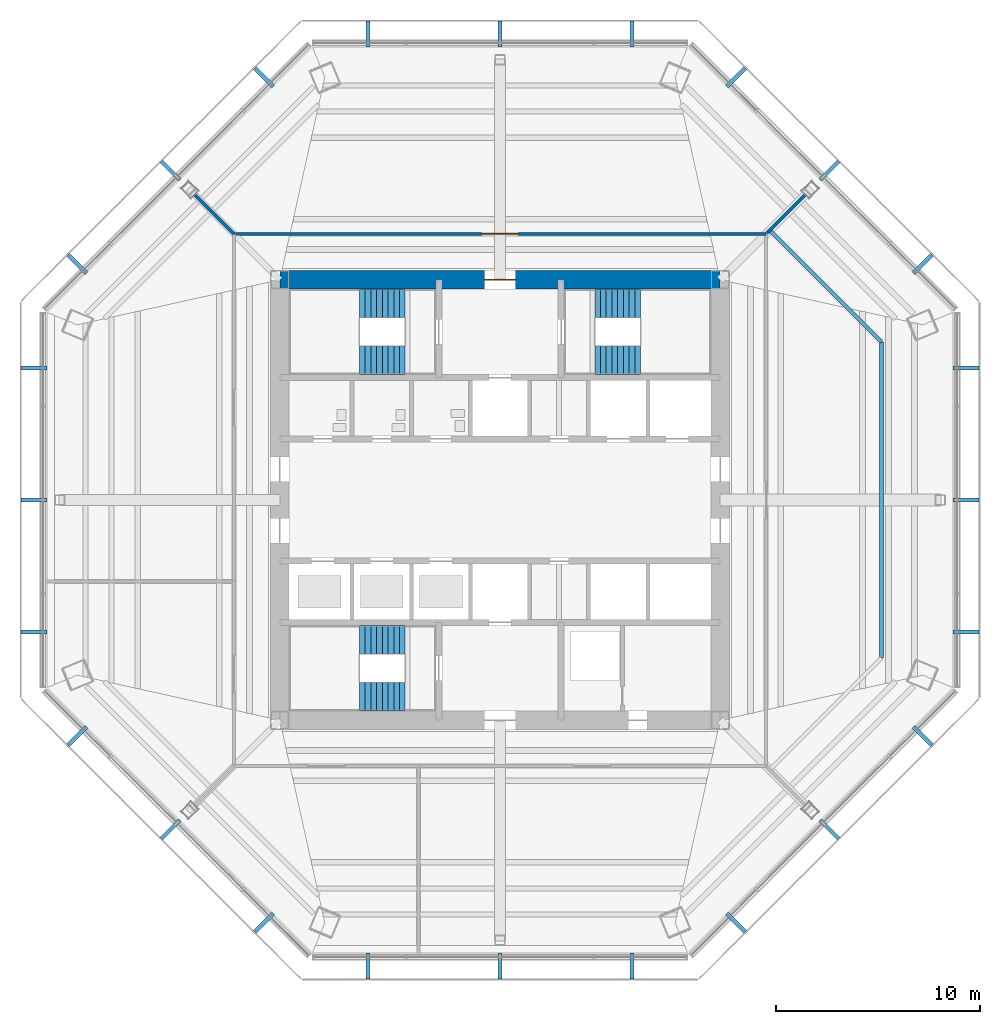
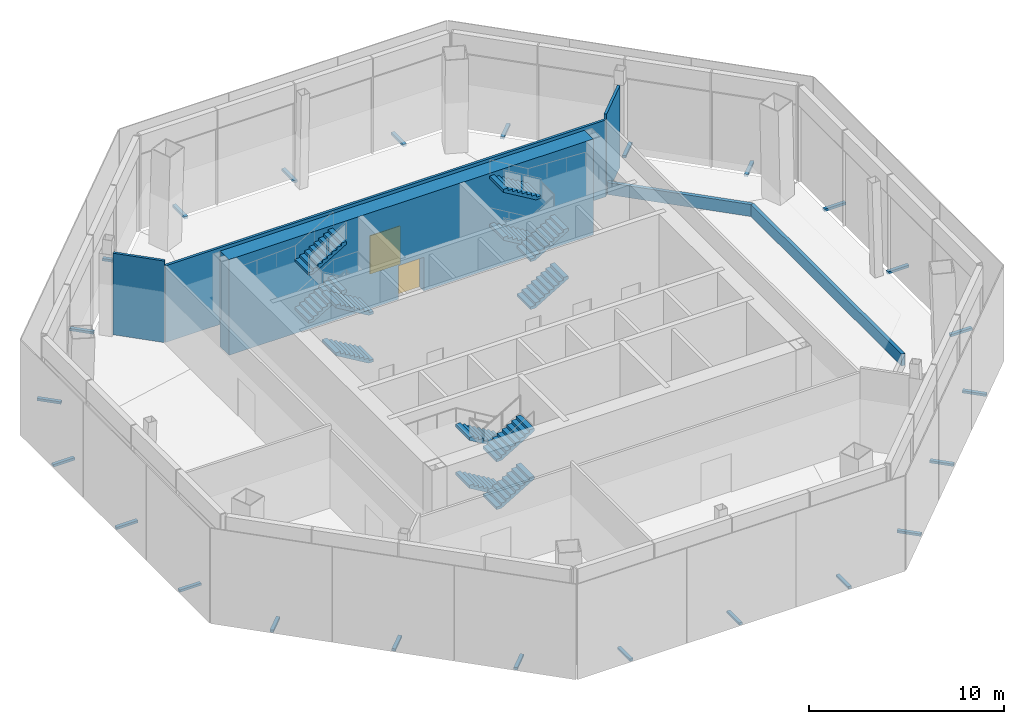
# One storey, part 8 of 13: 24 discrete accessories, 12 stair flights, 6 walls, 2 doors, 2 openings, 3 elements without a shape of their own.
"""IFC4 building model written with IfcOpenShell, lengths in metres."""

import ifcopenshell
import ifcopenshell.guid

model = None  # the IFC model being written
_history = None  # IfcOwnerHistory: only IFC2X3 demands one
_inside = {}  # id of a spatial element -> (the spatial element, [elements in it])
_under = {}  # id of a project, library or spatial element -> (it, [spatial elements below it])
_declared = {}  # id of a project -> (the project, [libraries it declares])
_typed = {}  # id of a type object -> (the type object, [elements of that type])
_made_of = {}  # id of a material, layer set ... -> (it, [elements and type objects made of it])


def new_model(schema):
    """Start an empty IFC model of exactly this schema.

    Asked for "IFC4X3", IfcOpenShell would pick the latest addendum, in which some entities
    have other attributes; the version numbers below select the first issue.
    IFC2X3 requires an IfcOwnerHistory on every rooted entity: one is made here for all.
    """
    global model, _history
    if schema == "IFC4X3":
        model = ifcopenshell.file(schema_version=(4, 3, 0, 0))
    else:
        model = ifcopenshell.file(schema=schema)
    _inside.clear()
    _under.clear()
    _declared.clear()
    _typed.clear()
    _made_of.clear()
    _history = None
    if model.schema == "IFC2X3":
        org = make("IfcOrganization", Name="unknown")
        user = make(
            "IfcPersonAndOrganization",
            ThePerson=make("IfcPerson", FamilyName="unknown"),
            TheOrganization=org,
        )
        app = make(
            "IfcApplication",
            ApplicationDeveloper=org,
            Version="unknown",
            ApplicationFullName="unknown",
            ApplicationIdentifier="unknown",
        )
        _history = make(
            "IfcOwnerHistory",
            OwningUser=user,
            OwningApplication=app,
            ChangeAction="ADDED",
            CreationDate=0,
        )
    return model


def make(cls, **values):
    """One entity of the class cls with the attributes given. An attribute that is None is left unset."""
    return model.create_entity(
        cls, **{name: value for name, value in values.items() if value is not None}
    )


def rooted(cls, **values):
    """An entity with a GlobalId (a new one), such as an element, a storey or a relation."""
    return make(cls, GlobalId=ifcopenshell.guid.new(), OwnerHistory=_history, **values)


def si_unit(unit_type, name, prefix=None):
    """IfcSIUnit, for example si_unit("LENGTHUNIT", "METRE", prefix="MILLI")."""
    return make("IfcSIUnit", UnitType=unit_type, Prefix=prefix, Name=name)


def assignment(units):
    """IfcUnitAssignment: the units of a project."""
    return None if units is None else make("IfcUnitAssignment", Units=units)


def point(xyz):
    """IfcCartesianPoint."""
    return None if xyz is None else make("IfcCartesianPoint", Coordinates=xyz)


def direction(xyz):
    """IfcDirection."""
    return None if xyz is None else make("IfcDirection", DirectionRatios=xyz)


def frame(location, z_axis=None, x_axis=None):
    """IfcAxis2Placement3D, a coordinate frame: its origin and axes. An axis left out is left unset."""
    return make(
        "IfcAxis2Placement3D",
        Location=point(location),
        Axis=direction(z_axis),
        RefDirection=direction(x_axis),
    )


def frame_2d(location, x_axis=None):
    """IfcAxis2Placement2D, a coordinate frame in the plane: its origin and x axis."""
    return make(
        "IfcAxis2Placement2D", Location=point(location), RefDirection=direction(x_axis)
    )


def origin():
    """The frame at (0, 0, 0) with its axes left unset."""
    return frame((0.0, 0.0, 0.0))


def origin_2d():
    """The frame at (0, 0) in the plane with its x axis left unset."""
    return frame_2d((0.0, 0.0))


def place(relative_to, where):
    """IfcLocalPlacement: puts the frame where relative to a parent placement (None: the world)."""
    return make(
        "IfcLocalPlacement", PlacementRelTo=relative_to, RelativePlacement=where
    )


def context(
    kind, dimensions, precision=None, world=None, true_north=None, identifier=None
):
    """IfcGeometricRepresentationContext, for example the 3D "Model" context."""
    return make(
        "IfcGeometricRepresentationContext",
        ContextIdentifier=identifier,
        ContextType=kind,
        CoordinateSpaceDimension=dimensions,
        Precision=precision,
        WorldCoordinateSystem=world,
        TrueNorth=true_north,
    )


def subcontext(parent, identifier, kind, view, scale=None):
    """IfcGeometricRepresentationSubContext, for example "Body" below "Model"."""
    return make(
        "IfcGeometricRepresentationSubContext",
        ContextIdentifier=identifier,
        ContextType=kind,
        ParentContext=parent,
        TargetScale=scale,
        TargetView=view,
    )


def project(units=None, contexts=None):
    """IfcProject with its units and contexts."""
    return rooted(
        "IfcProject",
        Name="project",
        RepresentationContexts=contexts,
        UnitsInContext=assignment(units),
    )


def spatial(cls, under=None, at=None, **own):
    """A site, building, storey or space (cls), placed at a placement, below another one or the project."""
    s = rooted(cls, ObjectPlacement=at, **own)
    if under is not None:
        _under.setdefault(under.id(), (under, []))[1].append(s)
    return s


def polyline(points):
    """IfcPolyline through the points."""
    return make("IfcPolyline", Points=[point(p) for p in points])


def profile(cls, at=None, kind="AREA", **sizes):
    """A parametric profile (cls). Its sizes go by their IFC names, for example OverallWidth=200.0."""
    return make(cls, ProfileType=kind, Position=at, **sizes)


def rectangle(**sizes):
    """IfcRectangleProfileDef."""
    return profile("IfcRectangleProfileDef", **sizes)


def outline(outer, holes=None, kind="AREA"):
    """IfcArbitraryClosedProfileDef: a profile drawn as a closed curve; with holes, ...WithVoids."""
    if holes is None:
        return make("IfcArbitraryClosedProfileDef", ProfileType=kind, OuterCurve=outer)
    return make(
        "IfcArbitraryProfileDefWithVoids",
        ProfileType=kind,
        OuterCurve=outer,
        InnerCurves=holes,
    )


def extrude(swept, where, along, depth):
    """IfcExtrudedAreaSolid: the profile swept, set in the frame where, extruded along a direction by depth."""
    return make(
        "IfcExtrudedAreaSolid",
        SweptArea=swept,
        Position=where,
        ExtrudedDirection=direction(along),
        Depth=depth,
    )


def shape(context_of_items, identifier, shape_type, items):
    """IfcShapeRepresentation: the items that make up one representation, for example the "Body"."""
    return make(
        "IfcShapeRepresentation",
        ContextOfItems=context_of_items,
        RepresentationIdentifier=identifier,
        RepresentationType=shape_type,
        Items=items,
    )


def source(mapping_origin, context_of_items, identifier, shape_type, items):
    """IfcRepresentationMap: a shape defined once, which mapped items show again and again."""
    return make(
        "IfcRepresentationMap",
        MappingOrigin=mapping_origin,
        MappedRepresentation=shape(context_of_items, identifier, shape_type, items),
    )


def transform(
    local_origin,
    x_axis=None,
    y_axis=None,
    z_axis=None,
    scale=None,
    scale2=None,
    scale3=None,
    uniform=True,
):
    """IfcCartesianTransformationOperator3D, or its non-uniform kind. x_axis, y_axis, z_axis: its Axis1, 2, 3."""
    if uniform:
        return make(
            "IfcCartesianTransformationOperator3D",
            Axis1=direction(x_axis),
            Axis2=direction(y_axis),
            LocalOrigin=point(local_origin),
            Scale=scale,
            Axis3=direction(z_axis),
        )
    return make(
        "IfcCartesianTransformationOperator3DnonUniform",
        Axis1=direction(x_axis),
        Axis2=direction(y_axis),
        LocalOrigin=point(local_origin),
        Scale=scale,
        Axis3=direction(z_axis),
        Scale2=scale2,
        Scale3=scale3,
    )


def mapped(mapping_source, mapping_target):
    """IfcMappedItem: shows the shape of a source again, moved by a transform."""
    return make(
        "IfcMappedItem", MappingSource=mapping_source, MappingTarget=mapping_target
    )


def material(Name=None, Category=None):
    """IfcMaterial."""
    return make("IfcMaterial", Name=Name, Category=Category)


def layer(
    of_material, thickness, ventilated=None, Name=None, Category=None, Priority=None
):
    """IfcMaterialLayer: one layer of a wall or slab, of a material (None: an air gap)."""
    return make(
        "IfcMaterialLayer",
        Material=of_material,
        LayerThickness=thickness,
        IsVentilated=ventilated,
        Name=Name,
        Category=Category,
        Priority=Priority,
    )


def layer_set(layers, Name=None):
    """IfcMaterialLayerSet."""
    return make("IfcMaterialLayerSet", MaterialLayers=layers, LayerSetName=Name)


def made_of(thing, what):
    """Note that an element or type object is made of a material, layer set ...; save() writes the relation."""
    if what is not None:
        _made_of.setdefault(what.id(), (what, []))[1].append(thing)
    return thing


def type_object(cls, material=None, **own):
    """A type object (cls), such as IfcWallType, which elements share."""
    return made_of(rooted(cls, **own), material)


def type_shapes(of_type, sources):
    """Give a type object the sources (RepresentationMaps) that its elements show as mapped items."""
    of_type.RepresentationMaps = sources


def element(
    cls,
    number,
    at=None,
    inside=None,
    cuts=None,
    type_object=None,
    material=None,
    context=None,
    identifier="Body",
    shape_type=None,
    held_by="IfcProductDefinitionShape",
    body=None,
    shapes=None,
    **own,
):
    """One element of the class cls, such as IfcWall. Its Tag is "e" and its number.

    at: its placement. inside: the storey or other place that contains it. cuts: it is an
    opening in that element (IfcRelVoidsElement). A single representation is given by context,
    identifier, shape_type and body (its items); several are given by shapes. held_by: the class
    of the entity that holds the representations. save() writes the other relations.
    """
    e = rooted(cls, Tag="e%d" % number, ObjectPlacement=at, **own)
    if body is not None:
        shapes = [shape(context, identifier, shape_type, body)]
    if shapes is not None:
        e.Representation = make(held_by, Representations=shapes)
    if inside is not None:
        _inside.setdefault(inside.id(), (inside, []))[1].append(e)
    if cuts is not None:
        rooted(
            "IfcRelVoidsElement", RelatingBuildingElement=cuts, RelatedOpeningElement=e
        )
    if type_object is not None:
        _typed.setdefault(type_object.id(), (type_object, []))[1].append(e)
    return made_of(e, material)


def fill(opening, filler):
    """IfcRelFillsElement: the door or window that sits in an opening."""
    return rooted(
        "IfcRelFillsElement",
        RelatingOpeningElement=opening,
        RelatedBuildingElement=filler,
    )


def aggregate(whole, parts):
    """IfcRelAggregates: a whole, such as a stair, and the parts it consists of."""
    return rooted("IfcRelAggregates", RelatingObject=whole, RelatedObjects=parts)


def save(model, path):
    """Write the relations noted so far, then the file.

    IfcRelAggregates (storeys below a building ...), IfcRelContainedInSpatialStructure (elements
    in a storey), IfcRelDefinesByType, IfcRelAssociatesMaterial and IfcRelDeclares: one each for
    every whole, place, type object, material and project.
    """
    for whole, parts in _under.values():
        aggregate(whole, parts)
    for where, things in _inside.values():
        rooted(
            "IfcRelContainedInSpatialStructure",
            RelatedElements=things,
            RelatingStructure=where,
        )
    for kind, things in _typed.values():
        rooted("IfcRelDefinesByType", RelatedObjects=things, RelatingType=kind)
    for what, things in _made_of.values():
        rooted("IfcRelAssociatesMaterial", RelatedObjects=things, RelatingMaterial=what)
    for by, libraries in _declared.values():
        rooted("IfcRelDeclares", RelatingContext=by, RelatedDefinitions=libraries)
    model.write(path)


model = new_model("IFC4")

# Units and contexts
model_context = context("Model", 3, precision=1e-05, world=origin(), true_north=direction((0.0, 1.0)))
body_context = subcontext(model_context, "Body", "Model", "MODEL_VIEW")
ifc_project = project(units=[si_unit("LENGTHUNIT", "METRE"), si_unit("AREAUNIT", "SQUARE_METRE"), si_unit("VOLUMEUNIT", "CUBIC_METRE"), si_unit("PLANEANGLEUNIT", "RADIAN"), si_unit("MASSUNIT", "GRAM", prefix="KILO")], contexts=[model_context])

# Site, building, storey
site_placement = place(None, origin())
site = spatial("IfcSite", under=ifc_project, at=site_placement, CompositionType="ELEMENT")
building_placement = place(site_placement, origin())
building = spatial("IfcBuilding", under=site, at=building_placement, Name="Mashrafa Tower", CompositionType="ELEMENT")
storey_placement = place(building_placement, frame((0.0, 0.0, 198.0)))
storey = spatial("IfcBuildingStorey", under=building, at=storey_placement, Name="L45", CompositionType="ELEMENT", Elevation=198.0)

# Wall, opening, door
ifc_material_1 = material(Name="Concrete C50/60", Category="concrete")
ifc_layer_1 = layer(ifc_material_1, 0.89990234375)
ifc_layer_set_1 = layer_set([ifc_layer_1], Name="Core wall 900 C50/60")
wall_type_1 = type_object("IfcWallType", Name="Core wall 900 C50/60", PredefinedType="SOLIDWALL", material=ifc_layer_set_1)
wall_1_placement = place(storey_placement, frame((10.800048828125, 10.800048828125, 0.0), z_axis=(0.0, 0.0, 1.0), x_axis=(-1.0, 0.0, 0.0)))
wall_1 = element("IfcWall", 1, at=wall_1_placement, inside=storey, type_object=wall_type_1, Name="Core wall CW-N L45", PredefinedType="SOLIDWALL", context=body_context, shape_type="SweptSolid", body=[
    extrude(rectangle(XDim=21.60009765625, YDim=0.89990234375, at=frame_2d((10.800048828125, 0.0))), origin(), (0.0, 0.0, 1.0), 6.0),
])
opening_1_placement = place(wall_1_placement, frame((10.050048828125, 0.0, 0.0)))
opening_1 = element("IfcOpeningElement", 2, at=opening_1_placement, cuts=wall_1, Name="Opening 45.011", PredefinedType="OPENING", context=body_context, shape_type="SweptSolid", body=[
    extrude(rectangle(XDim=1.5, YDim=2.10009765625, at=frame_2d((0.75, 1.050048828125))), frame((0.0, 0.4599609375, 0.0), z_axis=(0.0, -1.0, 0.0), x_axis=(1.0, 0.0, 0.0)), (0.0, 0.0, 1.0), 0.919921875),
])
ifc_material_2 = material(Name="Steel door", Category="steel")
door_type_1 = type_object("IfcDoorType", Name="Lobby door pair 1500 x 2100 90 min", OperationType="DOUBLE_DOOR_SINGLE_SWING", PredefinedType="DOOR", material=ifc_material_2)
door_1_placement = place(opening_1_placement, origin())
door_1 = element("IfcDoor", 3, at=door_1_placement, inside=storey, type_object=door_type_1, Name="Fire-fighting lobby F1 door L45", OperationType="DOUBLE_DOOR_SINGLE_SWING", OverallHeight=2.10009765625, OverallWidth=1.5, PredefinedType="DOOR", context=body_context, shape_type="SweptSolid", body=[
    extrude(rectangle(XDim=1.5, YDim=2.10009765625, at=frame_2d((0.75, 1.050048828125))), frame((0.0, 0.02490234375, 0.0), z_axis=(0.0, -1.0, 0.0), x_axis=(1.0, 0.0, 0.0)), (0.0, 0.0, 1.0), 0.050048828125),
])
fill(opening_1, door_1)

ifc_material_3 = material(Name="Gypsum board on steel studs", Category="steel")
ifc_layer_2 = layer(ifc_material_3, 0.14990234375)
ifc_layer_set_2 = layer_set([ifc_layer_2], Name="Corridor partition 150 1 hr")
wall_type_2 = type_object("IfcWallType", Name="Corridor partition 150 1 hr", PredefinedType="PARTITIONING", material=ifc_layer_set_2)
wall_2_placement = place(storey_placement, frame((13.050048828125, 13.050048828125, 0.0), z_axis=(0.0, 0.0, 1.0), x_axis=(-1.0, 0.0, 0.0)))
wall_2 = element("IfcWall", 4, at=wall_2_placement, inside=storey, type_object=wall_type_2, Name="Corridor wall L45-005", PredefinedType="PARTITIONING", context=body_context, shape_type="SweptSolid", body=[
    extrude(rectangle(XDim=26.10009765625, YDim=0.14990234375, at=frame_2d((13.050048828125, 0.0))), origin(), (0.0, 0.0, 1.0), 4.806884765625),
])
opening_2_placement = place(wall_2_placement, frame((12.14990234375, 0.0, 0.0)))
opening_2 = element("IfcOpeningElement", 5, at=opening_2_placement, cuts=wall_2, Name="Opening 45.005", PredefinedType="OPENING", context=body_context, shape_type="SweptSolid", body=[
    extrude(rectangle(XDim=1.800048828125, YDim=2.39990234375, at=frame_2d((0.89990234375, 1.199951171875))), frame((0.0, 0.0849609375, 0.0), z_axis=(0.0, -1.0, 0.0), x_axis=(1.0, 0.0, 0.0)), (0.0, 0.0, 1.0), 0.169921875),
])
ifc_material_4 = material(Name="Steel door", Category="steel")
door_type_2 = type_object("IfcDoorType", Name="Door pair 1800 x 2400 90 min", OperationType="DOUBLE_DOOR_SINGLE_SWING", PredefinedType="DOOR", material=ifc_material_4)
door_2_placement = place(opening_2_placement, origin())
door_2 = element("IfcDoor", 6, at=door_2_placement, inside=storey, type_object=door_type_2, Name="Function Room L45 door", OperationType="DOUBLE_DOOR_SINGLE_SWING", OverallHeight=2.39990234375, OverallWidth=1.800048828125, PredefinedType="DOOR", context=body_context, shape_type="SweptSolid", body=[
    extrude(rectangle(XDim=1.800048828125, YDim=2.39990234375, at=frame_2d((0.89990234375, 1.199951171875))), frame((0.0, 0.02490234375, 0.0), z_axis=(0.0, -1.0, 0.0), x_axis=(1.0, 0.0, 0.0)), (0.0, 0.0, 1.0), 0.050048828125),
])
fill(opening_2, door_2)

# Walls
ifc_material_5 = material(Name="Gypsum board on steel studs", Category="steel")
ifc_layer_3 = layer(ifc_material_5, 0.14990234375)
ifc_layer_set_3 = layer_set([ifc_layer_3], Name="Partition 150")
wall_type_3 = type_object("IfcWallType", Name="Partition 150", PredefinedType="PARTITIONING", material=ifc_layer_set_3)
wall_3_placement = place(storey_placement, frame((-13.050048828125, 13.050048828125, 0.0), z_axis=(0.0, 0.0, 1.0), x_axis=(-0.707106781187, 0.707106781187, 0.0)))
element("IfcWall", 7, at=wall_3_placement, inside=storey, type_object=wall_type_3, Name="Partition wall L45-012", PredefinedType="PARTITIONING", context=body_context, shape_type="SweptSolid", body=[
    extrude(rectangle(XDim=2.71923828125, YDim=0.14990234375, at=frame_2d((1.359619140625, 0.0))), origin(), (0.0, 0.0, 1.0), 5.11181640625),
])
wall_4_placement = place(storey_placement, frame((14.972900390625, 14.972900390625, 0.0), z_axis=(0.0, 0.0, 1.0), x_axis=(-0.707106781187, -0.707106781187, 0.0)))
element("IfcWall", 8, at=wall_4_placement, inside=storey, type_object=wall_type_3, Name="Partition wall L45-013", PredefinedType="PARTITIONING", context=body_context, shape_type="SweptSolid", body=[
    extrude(rectangle(XDim=2.66650390625, YDim=0.14990234375, at=frame_2d((1.333251953125, 0.0))), origin(), (0.0, 0.0, 1.0), 5.11181640625),
])
ifc_material_6 = material(Name="Concrete C32/40", Category="concrete")
ifc_layer_4 = layer(ifc_material_6, 0.199951171875)
ifc_layer_set_4 = layer_set([ifc_layer_4], Name="Planter upstand wall 200")
wall_type_4 = type_object("IfcWallType", Name="Planter upstand wall 200", PredefinedType="SOLIDWALL", material=ifc_layer_set_4)
wall_5_placement = place(storey_placement, frame((13.2861328125, 13.1787109375, 0.0), z_axis=(0.0, 0.0, 1.0), x_axis=(0.707122684986, -0.707090877029, 0.0)))
element("IfcWall", 9, at=wall_5_placement, inside=storey, type_object=wall_type_4, Name="Planter wall L45-015", PredefinedType="SOLIDWALL", context=body_context, shape_type="SweptSolid", body=[
    extrude(rectangle(XDim=7.675537109375, YDim=0.199951171875, at=frame_2d((3.837890625, 0.0))), origin(), (0.0, 0.0, 1.0), 0.75),
])
wall_6_placement = place(storey_placement, frame((18.713623046875, 7.75146484375, 0.0), z_axis=(0.0, 0.0, 1.0), x_axis=(0.0, -1.0, 0.0)))
element("IfcWall", 10, at=wall_6_placement, inside=storey, type_object=wall_type_4, Name="Planter wall L45-016", PredefinedType="SOLIDWALL", context=body_context, shape_type="SweptSolid", body=[
    extrude(rectangle(XDim=15.5029296875, YDim=0.199951171875, at=frame_2d((7.75146484375, 0.0))), origin(), (0.0, 0.0, 1.0), 0.75),
])

# Stair, stair flights
ifc_material_7 = material(Name="Exit stair 1400")
stair_type = type_object("IfcStairType", Name="Exit stair 1400", PredefinedType="HALF_TURN_STAIR", material=ifc_material_7)
stair_1_placement = place(storey_placement, origin())
stair_1 = element("IfcStair", 11, at=stair_1_placement, inside=storey, type_object=stair_type, Name="Stair S1 L45", PredefinedType="HALF_TURN_STAIR")
ifc_material_8 = material(Name="Concrete C32/40", Category="concrete")
stair_flight_type = type_object("IfcStairFlightType", Name="Stair flight 1400", PredefinedType="STRAIGHT", material=ifc_material_8)
stair_flight_1_placement = place(storey_placement, frame((-4.64990234375, 6.85009765625, 0.0), z_axis=(0.0, 0.0, 1.0), x_axis=(-1.0, 0.0, 0.0)))
stair_flight_1 = element("IfcStairFlight", 12, at=stair_flight_1_placement, type_object=stair_flight_type, Name="S1 flight 1", NumberOfRisers=9, NumberOfTreads=8, PredefinedType="STRAIGHT", RiserHeight=0.166666667, TreadLength=0.28, context=body_context, shape_type="SweptSolid", body=[
    extrude(outline(polyline([(0.0, 0.0), (0.0, 0.166748046875), (0.280029296875, 0.166748046875), (0.280029296875, 0.333251953125), (0.56005859375, 0.333251953125), (0.56005859375, 0.5), (0.840087890625, 0.5), (0.840087890625, 0.666748046875), (1.1201171875, 0.666748046875), (1.1201171875, 0.833251953125), (1.39990234375, 0.833251953125), (1.39990234375, 1.0), (1.679931640625, 1.0), (1.679931640625, 1.166748046875), (1.9599609375, 1.166748046875), (1.9599609375, 1.333251953125), (2.239990234375, 1.333251953125), (2.239990234375, 1.5), (2.239990234375, 1.158935546875), (0.29296875, 0.0), (0.0, 0.0)])), frame((0.0, 0.699951171875, 0.0), z_axis=(0.0, -1.0, 0.0), x_axis=(1.0, 0.0, 0.0)), (0.0, 0.0, 1.0), 1.39990234375),
])
stair_flight_2_placement = place(storey_placement, frame((-6.889892578125, 9.64990234375, 1.5), z_axis=(0.0, 0.0, 1.0), x_axis=(1.0, 0.0, 0.0)))
stair_flight_2 = element("IfcStairFlight", 13, at=stair_flight_2_placement, type_object=stair_flight_type, Name="S1 flight 2", NumberOfRisers=9, NumberOfTreads=8, PredefinedType="STRAIGHT", RiserHeight=0.166666667, TreadLength=0.28, context=body_context, shape_type="SweptSolid", body=[
    extrude(outline(polyline([(0.0, 0.0), (0.0, 0.166748046875), (0.280029296875, 0.166748046875), (0.280029296875, 0.333251953125), (0.56005859375, 0.333251953125), (0.56005859375, 0.5), (0.840087890625, 0.5), (0.840087890625, 0.666748046875), (1.1201171875, 0.666748046875), (1.1201171875, 0.833251953125), (1.39990234375, 0.833251953125), (1.39990234375, 1.0), (1.679931640625, 1.0), (1.679931640625, 1.166748046875), (1.9599609375, 1.166748046875), (1.9599609375, 1.333251953125), (2.239990234375, 1.333251953125), (2.239990234375, 1.5), (2.239990234375, 1.158935546875), (0.29296875, 0.0), (0.0, 0.0)])), frame((0.0, 0.699951171875, 0.0), z_axis=(0.0, -1.0, 0.0), x_axis=(1.0, 0.0, 0.0)), (0.0, 0.0, 1.0), 1.39990234375),
])
stair_flight_3_placement = place(storey_placement, frame((-4.64990234375, 6.85009765625, 3.0), z_axis=(0.0, 0.0, 1.0), x_axis=(-1.0, 0.0, 0.0)))
stair_flight_3 = element("IfcStairFlight", 14, at=stair_flight_3_placement, type_object=stair_flight_type, Name="S1 flight 3", NumberOfRisers=9, NumberOfTreads=8, PredefinedType="STRAIGHT", RiserHeight=0.166666667, TreadLength=0.28, context=body_context, shape_type="SweptSolid", body=[
    extrude(outline(polyline([(0.0, 0.0), (0.0, 0.166748046875), (0.280029296875, 0.166748046875), (0.280029296875, 0.333251953125), (0.56005859375, 0.333251953125), (0.56005859375, 0.5), (0.840087890625, 0.5), (0.840087890625, 0.666748046875), (1.1201171875, 0.666748046875), (1.1201171875, 0.833251953125), (1.39990234375, 0.833251953125), (1.39990234375, 1.0), (1.679931640625, 1.0), (1.679931640625, 1.166748046875), (1.9599609375, 1.166748046875), (1.9599609375, 1.333251953125), (2.239990234375, 1.333251953125), (2.239990234375, 1.5), (2.239990234375, 1.158935546875), (0.29296875, 0.0), (0.0, 0.0)])), frame((0.0, 0.699951171875, 0.0), z_axis=(0.0, -1.0, 0.0), x_axis=(1.0, 0.0, 0.0)), (0.0, 0.0, 1.0), 1.39990234375),
])
stair_flight_4_placement = place(storey_placement, frame((-6.889892578125, 9.64990234375, 4.5), z_axis=(0.0, 0.0, 1.0), x_axis=(1.0, 0.0, 0.0)))
stair_flight_4 = element("IfcStairFlight", 15, at=stair_flight_4_placement, type_object=stair_flight_type, Name="S1 flight 4", NumberOfRisers=9, NumberOfTreads=8, PredefinedType="STRAIGHT", RiserHeight=0.166666667, TreadLength=0.28, context=body_context, shape_type="SweptSolid", body=[
    extrude(outline(polyline([(0.0, 0.0), (0.0, 0.166748046875), (0.280029296875, 0.166748046875), (0.280029296875, 0.333251953125), (0.56005859375, 0.333251953125), (0.56005859375, 0.5), (0.840087890625, 0.5), (0.840087890625, 0.666748046875), (1.1201171875, 0.666748046875), (1.1201171875, 0.833251953125), (1.39990234375, 0.833251953125), (1.39990234375, 1.0), (1.679931640625, 1.0), (1.679931640625, 1.166748046875), (1.9599609375, 1.166748046875), (1.9599609375, 1.333251953125), (2.239990234375, 1.333251953125), (2.239990234375, 1.5), (2.239990234375, 1.158935546875), (0.29296875, 0.0), (0.0, 0.0)])), frame((0.0, 0.699951171875, 0.0), z_axis=(0.0, -1.0, 0.0), x_axis=(1.0, 0.0, 0.0)), (0.0, 0.0, 1.0), 1.39990234375),
])
aggregate(stair_1, [stair_flight_1, stair_flight_2, stair_flight_3, stair_flight_4])

stair_2_placement = place(storey_placement, origin())
stair_2 = element("IfcStair", 16, at=stair_2_placement, inside=storey, type_object=stair_type, Name="Stair S2 L45", PredefinedType="HALF_TURN_STAIR")
stair_flight_5_placement = place(storey_placement, frame((4.64990234375, 6.85009765625, 0.0), z_axis=(0.0, 0.0, 1.0), x_axis=(1.0, 0.0, 0.0)))
stair_flight_5 = element("IfcStairFlight", 17, at=stair_flight_5_placement, type_object=stair_flight_type, Name="S2 flight 1", NumberOfRisers=9, NumberOfTreads=8, PredefinedType="STRAIGHT", RiserHeight=0.166666667, TreadLength=0.28, context=body_context, shape_type="SweptSolid", body=[
    extrude(outline(polyline([(0.0, 0.0), (0.0, 0.166748046875), (0.280029296875, 0.166748046875), (0.280029296875, 0.333251953125), (0.56005859375, 0.333251953125), (0.56005859375, 0.5), (0.840087890625, 0.5), (0.840087890625, 0.666748046875), (1.1201171875, 0.666748046875), (1.1201171875, 0.833251953125), (1.39990234375, 0.833251953125), (1.39990234375, 1.0), (1.679931640625, 1.0), (1.679931640625, 1.166748046875), (1.9599609375, 1.166748046875), (1.9599609375, 1.333251953125), (2.239990234375, 1.333251953125), (2.239990234375, 1.5), (2.239990234375, 1.158935546875), (0.29296875, 0.0), (0.0, 0.0)])), frame((0.0, 0.699951171875, 0.0), z_axis=(0.0, -1.0, 0.0), x_axis=(1.0, 0.0, 0.0)), (0.0, 0.0, 1.0), 1.39990234375),
])
stair_flight_6_placement = place(storey_placement, frame((6.889892578125, 9.64990234375, 1.5), z_axis=(0.0, 0.0, 1.0), x_axis=(-1.0, 0.0, 0.0)))
stair_flight_6 = element("IfcStairFlight", 18, at=stair_flight_6_placement, type_object=stair_flight_type, Name="S2 flight 2", NumberOfRisers=9, NumberOfTreads=8, PredefinedType="STRAIGHT", RiserHeight=0.166666667, TreadLength=0.28, context=body_context, shape_type="SweptSolid", body=[
    extrude(outline(polyline([(0.0, 0.0), (0.0, 0.166748046875), (0.280029296875, 0.166748046875), (0.280029296875, 0.333251953125), (0.56005859375, 0.333251953125), (0.56005859375, 0.5), (0.840087890625, 0.5), (0.840087890625, 0.666748046875), (1.1201171875, 0.666748046875), (1.1201171875, 0.833251953125), (1.39990234375, 0.833251953125), (1.39990234375, 1.0), (1.679931640625, 1.0), (1.679931640625, 1.166748046875), (1.9599609375, 1.166748046875), (1.9599609375, 1.333251953125), (2.239990234375, 1.333251953125), (2.239990234375, 1.5), (2.239990234375, 1.158935546875), (0.29296875, 0.0), (0.0, 0.0)])), frame((0.0, 0.699951171875, 0.0), z_axis=(0.0, -1.0, 0.0), x_axis=(1.0, 0.0, 0.0)), (0.0, 0.0, 1.0), 1.39990234375),
])
stair_flight_7_placement = place(storey_placement, frame((4.64990234375, 6.85009765625, 3.0), z_axis=(0.0, 0.0, 1.0), x_axis=(1.0, 0.0, 0.0)))
stair_flight_7 = element("IfcStairFlight", 19, at=stair_flight_7_placement, type_object=stair_flight_type, Name="S2 flight 3", NumberOfRisers=9, NumberOfTreads=8, PredefinedType="STRAIGHT", RiserHeight=0.166666667, TreadLength=0.28, context=body_context, shape_type="SweptSolid", body=[
    extrude(outline(polyline([(0.0, 0.0), (0.0, 0.166748046875), (0.280029296875, 0.166748046875), (0.280029296875, 0.333251953125), (0.56005859375, 0.333251953125), (0.56005859375, 0.5), (0.840087890625, 0.5), (0.840087890625, 0.666748046875), (1.1201171875, 0.666748046875), (1.1201171875, 0.833251953125), (1.39990234375, 0.833251953125), (1.39990234375, 1.0), (1.679931640625, 1.0), (1.679931640625, 1.166748046875), (1.9599609375, 1.166748046875), (1.9599609375, 1.333251953125), (2.239990234375, 1.333251953125), (2.239990234375, 1.5), (2.239990234375, 1.158935546875), (0.29296875, 0.0), (0.0, 0.0)])), frame((0.0, 0.699951171875, 0.0), z_axis=(0.0, -1.0, 0.0), x_axis=(1.0, 0.0, 0.0)), (0.0, 0.0, 1.0), 1.39990234375),
])
stair_flight_8_placement = place(storey_placement, frame((6.889892578125, 9.64990234375, 4.5), z_axis=(0.0, 0.0, 1.0), x_axis=(-1.0, 0.0, 0.0)))
stair_flight_8 = element("IfcStairFlight", 20, at=stair_flight_8_placement, type_object=stair_flight_type, Name="S2 flight 4", NumberOfRisers=9, NumberOfTreads=8, PredefinedType="STRAIGHT", RiserHeight=0.166666667, TreadLength=0.28, context=body_context, shape_type="SweptSolid", body=[
    extrude(outline(polyline([(0.0, 0.0), (0.0, 0.166748046875), (0.280029296875, 0.166748046875), (0.280029296875, 0.333251953125), (0.56005859375, 0.333251953125), (0.56005859375, 0.5), (0.840087890625, 0.5), (0.840087890625, 0.666748046875), (1.1201171875, 0.666748046875), (1.1201171875, 0.833251953125), (1.39990234375, 0.833251953125), (1.39990234375, 1.0), (1.679931640625, 1.0), (1.679931640625, 1.166748046875), (1.9599609375, 1.166748046875), (1.9599609375, 1.333251953125), (2.239990234375, 1.333251953125), (2.239990234375, 1.5), (2.239990234375, 1.158935546875), (0.29296875, 0.0), (0.0, 0.0)])), frame((0.0, 0.699951171875, 0.0), z_axis=(0.0, -1.0, 0.0), x_axis=(1.0, 0.0, 0.0)), (0.0, 0.0, 1.0), 1.39990234375),
])
aggregate(stair_2, [stair_flight_5, stair_flight_6, stair_flight_7, stair_flight_8])

stair_3_placement = place(storey_placement, origin())
stair_3 = element("IfcStair", 21, at=stair_3_placement, inside=storey, type_object=stair_type, Name="Stair S3 L45", PredefinedType="HALF_TURN_STAIR")
stair_flight_9_placement = place(storey_placement, frame((-4.64990234375, -6.85009765625, 0.0), z_axis=(0.0, 0.0, 1.0), x_axis=(-1.0, 0.0, 0.0)))
stair_flight_9 = element("IfcStairFlight", 22, at=stair_flight_9_placement, type_object=stair_flight_type, Name="S3 flight 1", NumberOfRisers=9, NumberOfTreads=8, PredefinedType="STRAIGHT", RiserHeight=0.166666667, TreadLength=0.28, context=body_context, shape_type="SweptSolid", body=[
    extrude(outline(polyline([(0.0, 0.0), (0.0, 0.166748046875), (0.280029296875, 0.166748046875), (0.280029296875, 0.333251953125), (0.56005859375, 0.333251953125), (0.56005859375, 0.5), (0.840087890625, 0.5), (0.840087890625, 0.666748046875), (1.1201171875, 0.666748046875), (1.1201171875, 0.833251953125), (1.39990234375, 0.833251953125), (1.39990234375, 1.0), (1.679931640625, 1.0), (1.679931640625, 1.166748046875), (1.9599609375, 1.166748046875), (1.9599609375, 1.333251953125), (2.239990234375, 1.333251953125), (2.239990234375, 1.5), (2.239990234375, 1.158935546875), (0.29296875, 0.0), (0.0, 0.0)])), frame((0.0, 0.699951171875, 0.0), z_axis=(0.0, -1.0, 0.0), x_axis=(1.0, 0.0, 0.0)), (0.0, 0.0, 1.0), 1.39990234375),
])
stair_flight_10_placement = place(storey_placement, frame((-6.889892578125, -9.64990234375, 1.5), z_axis=(0.0, 0.0, 1.0), x_axis=(1.0, 0.0, 0.0)))
stair_flight_10 = element("IfcStairFlight", 23, at=stair_flight_10_placement, type_object=stair_flight_type, Name="S3 flight 2", NumberOfRisers=9, NumberOfTreads=8, PredefinedType="STRAIGHT", RiserHeight=0.166666667, TreadLength=0.28, context=body_context, shape_type="SweptSolid", body=[
    extrude(outline(polyline([(0.0, 0.0), (0.0, 0.166748046875), (0.280029296875, 0.166748046875), (0.280029296875, 0.333251953125), (0.56005859375, 0.333251953125), (0.56005859375, 0.5), (0.840087890625, 0.5), (0.840087890625, 0.666748046875), (1.1201171875, 0.666748046875), (1.1201171875, 0.833251953125), (1.39990234375, 0.833251953125), (1.39990234375, 1.0), (1.679931640625, 1.0), (1.679931640625, 1.166748046875), (1.9599609375, 1.166748046875), (1.9599609375, 1.333251953125), (2.239990234375, 1.333251953125), (2.239990234375, 1.5), (2.239990234375, 1.158935546875), (0.29296875, 0.0), (0.0, 0.0)])), frame((0.0, 0.699951171875, 0.0), z_axis=(0.0, -1.0, 0.0), x_axis=(1.0, 0.0, 0.0)), (0.0, 0.0, 1.0), 1.39990234375),
])
stair_flight_11_placement = place(storey_placement, frame((-4.64990234375, -6.85009765625, 3.0), z_axis=(0.0, 0.0, 1.0), x_axis=(-1.0, 0.0, 0.0)))
stair_flight_11 = element("IfcStairFlight", 24, at=stair_flight_11_placement, type_object=stair_flight_type, Name="S3 flight 3", NumberOfRisers=9, NumberOfTreads=8, PredefinedType="STRAIGHT", RiserHeight=0.166666667, TreadLength=0.28, context=body_context, shape_type="SweptSolid", body=[
    extrude(outline(polyline([(0.0, 0.0), (0.0, 0.166748046875), (0.280029296875, 0.166748046875), (0.280029296875, 0.333251953125), (0.56005859375, 0.333251953125), (0.56005859375, 0.5), (0.840087890625, 0.5), (0.840087890625, 0.666748046875), (1.1201171875, 0.666748046875), (1.1201171875, 0.833251953125), (1.39990234375, 0.833251953125), (1.39990234375, 1.0), (1.679931640625, 1.0), (1.679931640625, 1.166748046875), (1.9599609375, 1.166748046875), (1.9599609375, 1.333251953125), (2.239990234375, 1.333251953125), (2.239990234375, 1.5), (2.239990234375, 1.158935546875), (0.29296875, 0.0), (0.0, 0.0)])), frame((0.0, 0.699951171875, 0.0), z_axis=(0.0, -1.0, 0.0), x_axis=(1.0, 0.0, 0.0)), (0.0, 0.0, 1.0), 1.39990234375),
])
stair_flight_12_placement = place(storey_placement, frame((-6.889892578125, -9.64990234375, 4.5), z_axis=(0.0, 0.0, 1.0), x_axis=(1.0, 0.0, 0.0)))
stair_flight_12 = element("IfcStairFlight", 25, at=stair_flight_12_placement, type_object=stair_flight_type, Name="S3 flight 4", NumberOfRisers=9, NumberOfTreads=8, PredefinedType="STRAIGHT", RiserHeight=0.166666667, TreadLength=0.28, context=body_context, shape_type="SweptSolid", body=[
    extrude(outline(polyline([(0.0, 0.0), (0.0, 0.166748046875), (0.280029296875, 0.166748046875), (0.280029296875, 0.333251953125), (0.56005859375, 0.333251953125), (0.56005859375, 0.5), (0.840087890625, 0.5), (0.840087890625, 0.666748046875), (1.1201171875, 0.666748046875), (1.1201171875, 0.833251953125), (1.39990234375, 0.833251953125), (1.39990234375, 1.0), (1.679931640625, 1.0), (1.679931640625, 1.166748046875), (1.9599609375, 1.166748046875), (1.9599609375, 1.333251953125), (2.239990234375, 1.333251953125), (2.239990234375, 1.5), (2.239990234375, 1.158935546875), (0.29296875, 0.0), (0.0, 0.0)])), frame((0.0, 0.699951171875, 0.0), z_axis=(0.0, -1.0, 0.0), x_axis=(1.0, 0.0, 0.0)), (0.0, 0.0, 1.0), 1.39990234375),
])
aggregate(stair_3, [stair_flight_9, stair_flight_10, stair_flight_11, stair_flight_12])

# Discrete accessories
ifc_material_9 = material(Name="Stainless steel screen bracket", Category="steel")
discrete_accessory_type = type_object("IfcDiscreteAccessoryType", Name="Screen support bracket 200 x 150", PredefinedType="BRACKET", material=ifc_material_9)
shared_shape = source(origin(), body_context, "Body", "SweptSolid", [
    extrude(rectangle(XDim=0.199951171875, YDim=1.27001953125, at=origin_2d()), origin(), (0.0, 0.0, 1.0), 0.14990234375),
])
type_shapes(discrete_accessory_type, [shared_shape])
for number, where, z_axis, x_axis, name in (
    (26, (22.8486328125, -6.47802734375, -0.14990234375), (0.0, 0.0, 1.0), (0.0, 1.0, 0.0), "Screen support bracket L45 east 1"),
    (27, (22.8486328125, 0.0, -0.14990234375), (0.0, 0.0, 1.0), (0.0, 1.0, 0.0), "Screen support bracket L45 east 2"),
    (28, (22.8486328125, 6.47802734375, -0.14990234375), (0.0, 0.0, 1.0), (0.0, 1.0, 0.0), "Screen support bracket L45 east 3"),
    (29, (20.737060546875, 11.57568359375, -0.14990234375), (0.0, 0.0, 1.0), (-0.707106781187, 0.707106781187, 0.0), "Screen support bracket L45 north-east 1"),
    (30, (16.156494140625, 16.156494140625, -0.14990234375), (0.0, 0.0, 1.0), (-0.707106781187, 0.707106781187, 0.0), "Screen support bracket L45 north-east 2"),
    (31, (11.57568359375, 20.737060546875, -0.14990234375), (0.0, 0.0, 1.0), (-0.707106781187, 0.707106781187, 0.0), "Screen support bracket L45 north-east 3"),
    (32, (6.47802734375, 22.8486328125, -0.14990234375), (0.0, 0.0, 1.0), (-1.0, 0.0, 0.0), "Screen support bracket L45 north 1"),
    (33, (0.0, 22.8486328125, -0.14990234375), (0.0, 0.0, 1.0), (-1.0, 0.0, 0.0), "Screen support bracket L45 north 2"),
    (34, (-6.47802734375, 22.8486328125, -0.14990234375), (0.0, 0.0, 1.0), (-1.0, 0.0, 0.0), "Screen support bracket L45 north 3"),
    (35, (-11.57568359375, 20.737060546875, -0.14990234375), (0.0, 0.0, 1.0), (-0.707106781187, -0.707106781187, 0.0), "Screen support bracket L45 north-west 1"),
    (36, (-16.156494140625, 16.156494140625, -0.14990234375), (0.0, 0.0, 1.0), (-0.707106781187, -0.707106781187, 0.0), "Screen support bracket L45 north-west 2"),
    (37, (-20.737060546875, 11.57568359375, -0.14990234375), (0.0, 0.0, 1.0), (-0.707106781187, -0.707106781187, 0.0), "Screen support bracket L45 north-west 3"),
    (38, (-22.8486328125, 6.47802734375, -0.14990234375), (0.0, 0.0, 1.0), (0.0, -1.0, 0.0), "Screen support bracket L45 west 1"),
    (39, (-22.8486328125, 0.0, -0.14990234375), (0.0, 0.0, 1.0), (0.0, -1.0, 0.0), "Screen support bracket L45 west 2"),
    (40, (-22.8486328125, -6.47802734375, -0.14990234375), (0.0, 0.0, 1.0), (0.0, -1.0, 0.0), "Screen support bracket L45 west 3"),
    (41, (-20.737060546875, -11.57568359375, -0.14990234375), (0.0, 0.0, 1.0), (0.707106781187, -0.707106781187, 0.0), "Screen support bracket L45 south-west 1"),
    (42, (-16.156494140625, -16.156494140625, -0.14990234375), (0.0, 0.0, 1.0), (0.707106781187, -0.707106781187, 0.0), "Screen support bracket L45 south-west 2"),
    (43, (-11.57568359375, -20.737060546875, -0.14990234375), (0.0, 0.0, 1.0), (0.707106781187, -0.707106781187, 0.0), "Screen support bracket L45 south-west 3"),
    (44, (-6.47802734375, -22.8486328125, -0.14990234375), (0.0, 0.0, 1.0), (1.0, 0.0, 0.0), "Screen support bracket L45 south 1"),
    (45, (0.0, -22.8486328125, -0.14990234375), (0.0, 0.0, 1.0), (1.0, 0.0, 0.0), "Screen support bracket L45 south 2"),
    (46, (6.47802734375, -22.8486328125, -0.14990234375), (0.0, 0.0, 1.0), (1.0, 0.0, 0.0), "Screen support bracket L45 south 3"),
    (47, (11.57568359375, -20.737060546875, -0.14990234375), (0.0, 0.0, 1.0), (0.707106781187, 0.707106781187, 0.0), "Screen support bracket L45 south-east 1"),
    (48, (16.156494140625, -16.156494140625, -0.14990234375), (0.0, 0.0, 1.0), (0.707106781187, 0.707106781187, 0.0), "Screen support bracket L45 south-east 2"),
    (49, (20.737060546875, -11.57568359375, -0.14990234375), (0.0, 0.0, 1.0), (0.707106781187, 0.707106781187, 0.0), "Screen support bracket L45 south-east 3"),
):
    element("IfcDiscreteAccessory", number, at=place(storey_placement, frame(where, z_axis=z_axis, x_axis=x_axis)), inside=storey, type_object=discrete_accessory_type, Name=name, PredefinedType="BRACKET", context=body_context, shape_type="MappedRepresentation", body=[
        mapped(shared_shape, transform((0.0, 0.0, 0.0))),
    ])

save(model, "model.ifc")
